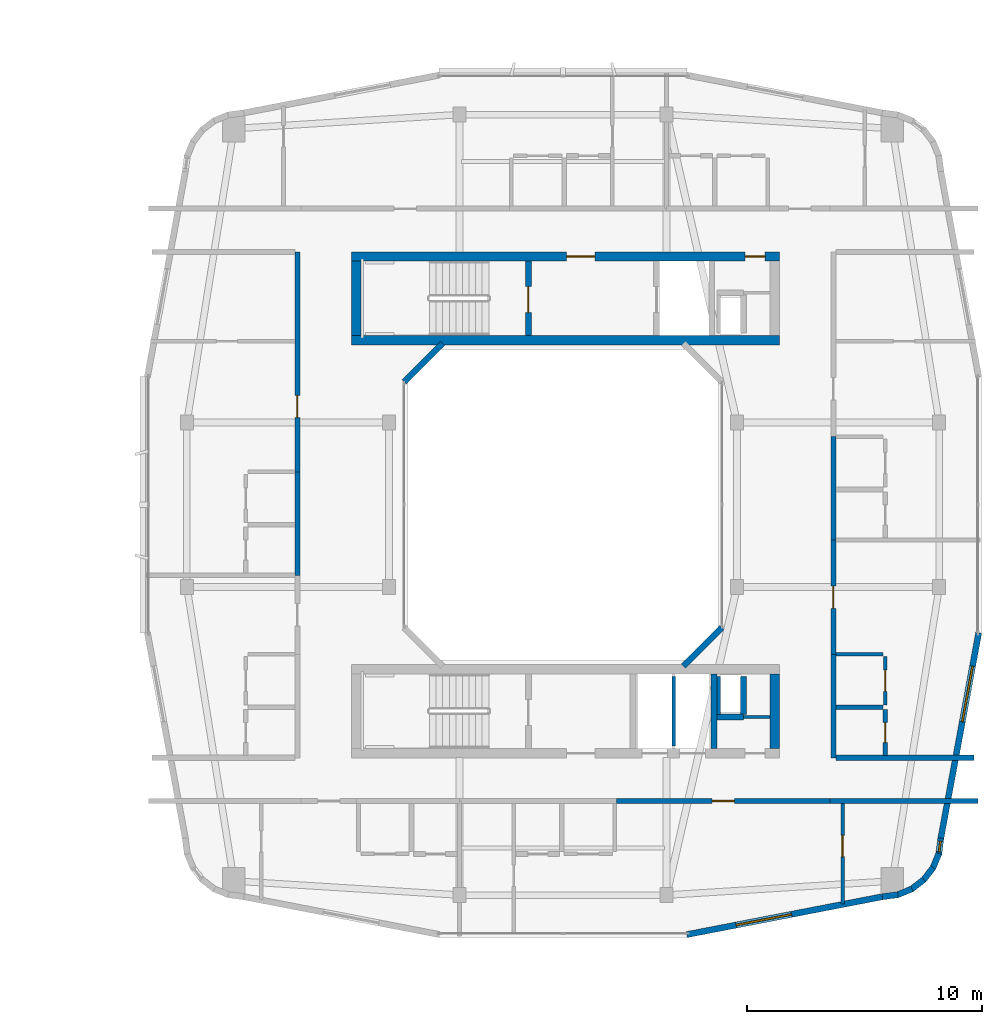
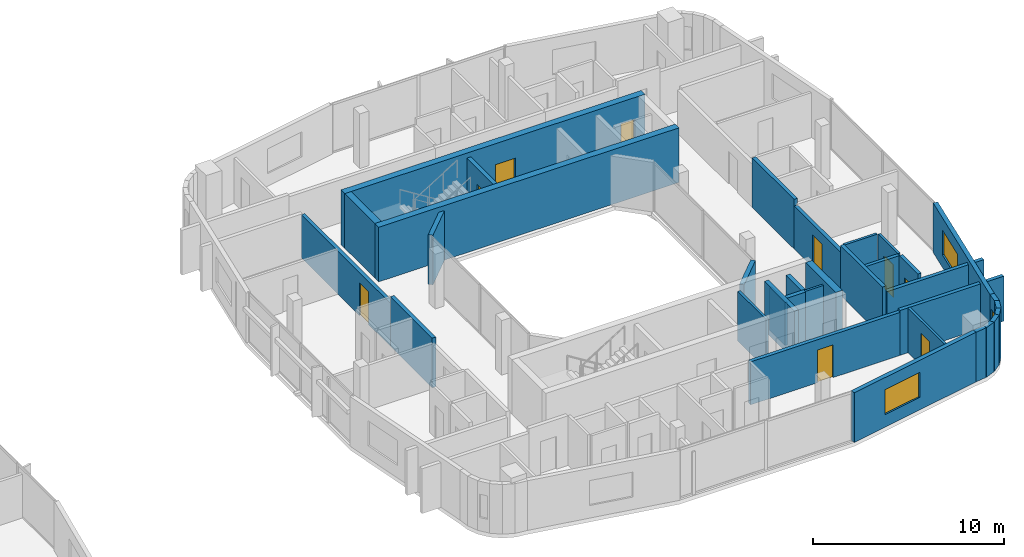
# One storey, part 18 of 26: 34 walls, 9 doors, 3 windows, 12 openings.
"""IFC4 building model written with IfcOpenShell, lengths in metres."""

from ifc_helpers import new_model, si_unit, derived_unit, direction, frame, frame_2d, origin, place, context, subcontext, project, spatial, rectangle, extrude, material, layer, layer_set, type_object, element, fill, save


model = new_model("IFC4")

# Units and contexts
model_context = context("Model", 3, precision=1e-05, world=origin(), true_north=direction((0.0, 1.0)))
body_context = subcontext(model_context, "Body", "Model", "MODEL_VIEW")
ifc_project = project(units=[si_unit("LENGTHUNIT", "METRE"), si_unit("AREAUNIT", "SQUARE_METRE"), si_unit("VOLUMEUNIT", "CUBIC_METRE"), si_unit("PLANEANGLEUNIT", "RADIAN"), si_unit("MASSUNIT", "GRAM", prefix="KILO"), derived_unit("THERMALTRANSMITTANCEUNIT", [(si_unit("POWERUNIT", "WATT"), 1), (si_unit("LENGTHUNIT", "METRE"), -2), (si_unit("THERMODYNAMICTEMPERATUREUNIT", "KELVIN"), -1)])], contexts=[model_context])

# Site, building, storey
site_placement = place(None, origin())
site = spatial("IfcSite", under=ifc_project, at=site_placement, CompositionType="ELEMENT")
building_placement = place(site_placement, origin())
building = spatial("IfcBuilding", under=site, at=building_placement, Name="Kivonza Crest Hotel", CompositionType="ELEMENT")
storey_placement = place(building_placement, frame((0.0, 0.0, 116.0)))
storey = spatial("IfcBuildingStorey", under=building, at=storey_placement, Name="L31", CompositionType="ELEMENT", Elevation=116.0)

# Wall
ifc_material_1 = material(Name="Autoclaved aerated concrete blockwork", Category="masonry")
ifc_layer_1 = layer(ifc_material_1, 0.219970703125)
ifc_layer_set_1 = layer_set([ifc_layer_1], Name="Autoclaved aerated concrete blockwork")
wall_type_1 = type_object("IfcWallType", Name="WL-ACOU-220", PredefinedType="SOLIDWALL", material=ifc_layer_set_1)
wall_1_placement = place(storey_placement, frame((88.35009765625, 12.39990234375, 0.0), z_axis=(0.0, 0.0, 1.0), x_axis=(1.0, 0.0, 0.0)))
element("IfcWall", 1, at=wall_1_placement, inside=storey, type_object=wall_type_1, Name="L31 interior partition WA-L31-A04-RCORR", PredefinedType="SOLIDWALL", context=body_context, shape_type="SweptSolid", body=[
    extrude(rectangle(XDim=6.289794921875, YDim=0.219970703125, at=frame_2d((3.14501953125, 0.0))), origin(), (0.0, 0.0, 1.0), 2.875),
])

# Wall, opening, door
wall_2_placement = place(storey_placement, frame((79.280029296875, 12.39990234375, 0.0), z_axis=(0.0, 0.0, 1.0), x_axis=(1.0, 0.0, 0.0)))
wall_2 = element("IfcWall", 2, at=wall_2_placement, inside=storey, type_object=wall_type_1, Name="L31 interior partition WA-L31-A04-MCORR", PredefinedType="SOLIDWALL", context=body_context, shape_type="SweptSolid", body=[
    extrude(rectangle(XDim=9.070068359375, YDim=0.219970703125, at=frame_2d((4.53515625, 0.0))), origin(), (0.0, 0.0, 1.0), 2.7548828125),
])
opening_1_placement = place(wall_2_placement, frame((4.06005859375, 0.0, 0.0)))
opening_1 = element("IfcOpeningElement", 3, at=opening_1_placement, cuts=wall_2, Name="Opening DU-60", PredefinedType="OPENING", context=body_context, shape_type="SweptSolid", body=[
    extrude(rectangle(XDim=0.949951171875, YDim=2.10009765625, at=frame_2d((0.47509765625, 1.050048828125))), frame((0.0, 0.1201171875, 0.0), z_axis=(0.0, -1.0, 0.0), x_axis=(1.0, 0.0, 0.0)), (0.0, 0.0, 1.0), 0.239990234375),
])
ifc_material_2 = material(Name="Hardwood timber oak", Category="wood")
door_type_1 = type_object("IfcDoorType", Name="DR-UNIT-950", OperationType="NOTDEFINED", PredefinedType="DOOR", material=ifc_material_2)
door_1_placement = place(opening_1_placement, frame((0.949951171875, 0.0, 0.0), z_axis=(0.0, 0.0, 1.0), x_axis=(-1.0, 0.0, 0.0)))
door_1 = element("IfcDoor", 4, at=door_1_placement, inside=storey, type_object=door_type_1, Name="L31 A04 apartment entrance fire door", OperationType="SINGLE_SWING_RIGHT", OverallHeight=2.10009765625, OverallWidth=0.949951171875, PredefinedType="DOOR", context=body_context, shape_type="SweptSolid", body=[
    extrude(rectangle(XDim=0.949951171875, YDim=2.10009765625, at=frame_2d((0.47509765625, 1.050048828125))), frame((0.0, 0.02490234375, 0.0), z_axis=(0.0, -1.0, 0.0), x_axis=(1.0, 0.0, 0.0)), (0.0, 0.0, 1.0), 0.050048828125),
])
fill(opening_1, door_1)

# Wall
wall_3_placement = place(storey_placement, frame((65.699951171875, 22.0, 0.0), z_axis=(0.0, 0.0, 1.0), x_axis=(0.0, 1.0, 0.0)))
element("IfcWall", 5, at=wall_3_placement, inside=storey, type_object=wall_type_1, Name="L31 interior partition WA-L31-A06-BCORR", PredefinedType="SOLIDWALL", context=body_context, shape_type="SweptSolid", body=[
    extrude(rectangle(XDim=4.39990234375, YDim=0.219970703125, at=frame_2d((2.199951171875, 0.0))), origin(), (0.0, 0.0, 1.0), 3.179931640625),
])

# Wall, opening, door
wall_4_placement = place(storey_placement, frame((65.699951171875, 26.39990234375, 0.0), z_axis=(0.0, 0.0, 1.0), x_axis=(0.0, 1.0, 0.0)))
wall_4 = element("IfcWall", 6, at=wall_4_placement, inside=storey, type_object=wall_type_1, Name="L31 interior partition WA-L31-A06-MCORR", PredefinedType="SOLIDWALL", context=body_context, shape_type="SweptSolid", body=[
    extrude(rectangle(XDim=9.360107421875, YDim=0.219970703125, at=frame_2d((4.68017578125, 0.0))), origin(), (0.0, 0.0, 1.0), 2.7548828125),
])
opening_2_placement = place(wall_4_placement, frame((2.304931640625, 0.0, 0.0)))
opening_2 = element("IfcOpeningElement", 7, at=opening_2_placement, cuts=wall_4, Name="Opening DU-60", PredefinedType="OPENING", context=body_context, shape_type="SweptSolid", body=[
    extrude(rectangle(XDim=0.949951171875, YDim=2.10009765625, at=frame_2d((0.47509765625, 1.050048828125))), frame((0.0, 0.1201171875, 0.0), z_axis=(0.0, -1.0, 0.0), x_axis=(1.0, 0.0, 0.0)), (0.0, 0.0, 1.0), 0.239990234375),
])
door_2_placement = place(opening_2_placement, origin())
door_2 = element("IfcDoor", 8, at=door_2_placement, inside=storey, type_object=door_type_1, Name="L31 A06 apartment entrance fire door", OperationType="SINGLE_SWING_RIGHT", OverallHeight=2.10009765625, OverallWidth=0.949951171875, PredefinedType="DOOR", context=body_context, shape_type="SweptSolid", body=[
    extrude(rectangle(XDim=0.949951171875, YDim=2.10009765625, at=frame_2d((0.47509765625, 1.050048828125))), frame((0.0, 0.02490234375, 0.0), z_axis=(0.0, -1.0, 0.0), x_axis=(1.0, 0.0, 0.0)), (0.0, 0.0, 1.0), 0.050048828125),
])
fill(opening_2, door_2)

# Walls
wall_5_placement = place(storey_placement, frame((88.60009765625, 14.239990234375, 0.0), z_axis=(0.0, 0.0, 1.0), x_axis=(1.0, 0.0, 0.0)))
element("IfcWall", 9, at=wall_5_placement, inside=storey, type_object=wall_type_1, Name="L31 interior partition WA-L31-T2E-ENDS", PredefinedType="SOLIDWALL", context=body_context, shape_type="SweptSolid", body=[
    extrude(rectangle(XDim=5.8798828125, YDim=0.219970703125, at=frame_2d((2.93994140625, 0.0))), origin(), (0.0, 0.0, 1.0), 2.875),
])
wall_6_placement = place(storey_placement, frame((88.5, 14.239990234375, 0.0), z_axis=(0.0, 0.0, 1.0), x_axis=(0.0, 1.0, 0.0)))
element("IfcWall", 10, at=wall_6_placement, inside=storey, type_object=wall_type_1, Name="L31 interior partition WA-L31-A07-BCORR", PredefinedType="SOLIDWALL", context=body_context, shape_type="SweptSolid", body=[
    extrude(rectangle(XDim=4.39990234375, YDim=0.219970703125, at=frame_2d((2.199951171875, 0.0))), origin(), (0.0, 0.0, 1.0), 3.179931640625),
])

# Wall, opening, door
wall_7_placement = place(storey_placement, frame((88.5, 18.639892578125, 0.0), z_axis=(0.0, 0.0, 1.0), x_axis=(0.0, 1.0, 0.0)))
wall_7 = element("IfcWall", 11, at=wall_7_placement, inside=storey, type_object=wall_type_1, Name="L31 interior partition WA-L31-A07-MCORR", PredefinedType="SOLIDWALL", context=body_context, shape_type="SweptSolid", body=[
    extrude(rectangle(XDim=4.860107421875, YDim=0.219970703125, at=frame_2d((2.43017578125, 0.0))), origin(), (0.0, 0.0, 1.0), 2.7548828125),
])
opening_3_placement = place(wall_7_placement, frame((1.955078125, 0.0, 0.0)))
opening_3 = element("IfcOpeningElement", 12, at=opening_3_placement, cuts=wall_7, Name="Opening DU-60", PredefinedType="OPENING", context=body_context, shape_type="SweptSolid", body=[
    extrude(rectangle(XDim=0.949951171875, YDim=2.10009765625, at=frame_2d((0.47509765625, 1.050048828125))), frame((0.0, 0.1201171875, 0.0), z_axis=(0.0, -1.0, 0.0), x_axis=(1.0, 0.0, 0.0)), (0.0, 0.0, 1.0), 0.239990234375),
])
door_3_placement = place(opening_3_placement, frame((0.949951171875, 0.0, 0.0), z_axis=(0.0, 0.0, 1.0), x_axis=(-1.0, 0.0, 0.0)))
door_3 = element("IfcDoor", 13, at=door_3_placement, inside=storey, type_object=door_type_1, Name="L31 A07 apartment entrance fire door", OperationType="SINGLE_SWING_LEFT", OverallHeight=2.10009765625, OverallWidth=0.949951171875, PredefinedType="DOOR", context=body_context, shape_type="SweptSolid", body=[
    extrude(rectangle(XDim=0.949951171875, YDim=2.10009765625, at=frame_2d((0.47509765625, 1.050048828125))), frame((0.0, 0.02490234375, 0.0), z_axis=(0.0, -1.0, 0.0), x_axis=(1.0, 0.0, 0.0)), (0.0, 0.0, 1.0), 0.050048828125),
])
fill(opening_3, door_3)

# Walls
wall_8_placement = place(storey_placement, frame((88.5, 23.5, 0.0), z_axis=(0.0, 0.0, 1.0), x_axis=(0.0, 1.0, 0.0)))
element("IfcWall", 14, at=wall_8_placement, inside=storey, type_object=wall_type_1, Name="L31 interior partition WA-L31-A08-BCORR", PredefinedType="SOLIDWALL", context=body_context, shape_type="SweptSolid", body=[
    extrude(rectangle(XDim=4.39990234375, YDim=0.219970703125, at=frame_2d((2.199951171875, 0.0))), origin(), (0.0, 0.0, 1.0), 3.179931640625),
])
ifc_material_3 = material(Name="Concrete C50/60", Category="concrete")
ifc_layer_2 = layer(ifc_material_3, 0.39990234375)
ifc_layer_set_2 = layer_set([ifc_layer_2], Name="Concrete C50/60")
wall_type_2 = type_object("IfcWallType", Name="WL-CORE-400", PredefinedType="SHEAR", material=ifc_layer_set_2)
wall_9_placement = place(storey_placement, frame((68.0, 32.0, 0.0), z_axis=(0.0, 0.0, 1.0), x_axis=(1.0, 0.0, 0.0)))
element("IfcWall", 15, at=wall_9_placement, inside=storey, type_object=wall_type_2, Name="Core wall T2-N South L31", PredefinedType="SHEAR", context=body_context, shape_type="SweptSolid", body=[
    extrude(rectangle(XDim=18.199951171875, YDim=0.39990234375, at=frame_2d((9.10009765625, 0.0))), origin(), (0.0, 0.0, 1.0), 3.5),
])

# Wall, openings, doors
wall_10_placement = place(storey_placement, frame((68.0, 35.56005859375, 0.0), z_axis=(0.0, 0.0, 1.0), x_axis=(1.0, 0.0, 0.0)))
wall_10 = element("IfcWall", 16, at=wall_10_placement, inside=storey, type_object=wall_type_2, Name="Core wall T2-N North L31", PredefinedType="SHEAR", context=body_context, shape_type="SweptSolid", body=[
    extrude(rectangle(XDim=18.199951171875, YDim=0.39990234375, at=frame_2d((9.10009765625, 0.0))), origin(), (0.0, 0.0, 1.0), 3.5),
])
opening_4_placement = place(wall_10_placement, frame((9.14990234375, 0.0, 0.0)))
opening_4 = element("IfcOpeningElement", 17, at=opening_4_placement, cuts=wall_10, Name="Opening DF-60", PredefinedType="OPENING", context=body_context, shape_type="SweptSolid", body=[
    extrude(rectangle(XDim=1.199951171875, YDim=2.14990234375, at=frame_2d((0.60009765625, 1.074951171875))), frame((0.0, 0.2099609375, 0.0), z_axis=(0.0, -1.0, 0.0), x_axis=(1.0, 0.0, 0.0)), (0.0, 0.0, 1.0), 0.419921875),
])
opening_5_placement = place(wall_10_placement, frame((16.75, 0.0, 0.0)))
opening_5 = element("IfcOpeningElement", 18, at=opening_5_placement, cuts=wall_10, Name="Opening DF-60R", PredefinedType="OPENING", context=body_context, shape_type="SweptSolid", body=[
    extrude(rectangle(XDim=0.85009765625, YDim=2.10009765625, at=frame_2d((0.425048828125, 1.050048828125))), frame((0.0, 0.2099609375, 0.0), z_axis=(0.0, -1.0, 0.0), x_axis=(1.0, 0.0, 0.0)), (0.0, 0.0, 1.0), 0.419921875),
])
door_type_2 = type_object("IfcDoorType", Name="DR-FD60-1200", OperationType="NOTDEFINED", PredefinedType="DOOR", material=ifc_material_2)
door_4_placement = place(opening_4_placement, origin())
door_4 = element("IfcDoor", 19, at=door_4_placement, inside=storey, type_object=door_type_2, Name="L31 T2-N firefighting lobby fire door", OperationType="SINGLE_SWING_RIGHT", OverallHeight=2.14990234375, OverallWidth=1.199951171875, PredefinedType="DOOR", context=body_context, shape_type="SweptSolid", body=[
    extrude(rectangle(XDim=1.199951171875, YDim=2.14990234375, at=frame_2d((0.60009765625, 1.074951171875))), frame((0.0, 0.02490234375, 0.0), z_axis=(0.0, -1.0, 0.0), x_axis=(1.0, 0.0, 0.0)), (0.0, 0.0, 1.0), 0.050048828125),
])
fill(opening_4, door_4)
door_type_3 = type_object("IfcDoorType", Name="DR-FD60-850", OperationType="NOTDEFINED", PredefinedType="DOOR", material=ifc_material_2)
door_5_placement = place(opening_5_placement, origin())
door_5 = element("IfcDoor", 20, at=door_5_placement, inside=storey, type_object=door_type_3, Name="L31 T2-N core room door", OperationType="SINGLE_SWING_RIGHT", OverallHeight=2.10009765625, OverallWidth=0.85009765625, PredefinedType="DOOR", context=body_context, shape_type="SweptSolid", body=[
    extrude(rectangle(XDim=0.85009765625, YDim=2.10009765625, at=frame_2d((0.425048828125, 1.050048828125))), frame((0.0, 0.02490234375, 0.0), z_axis=(0.0, -1.0, 0.0), x_axis=(1.0, 0.0, 0.0)), (0.0, 0.0, 1.0), 0.050048828125),
])
fill(opening_5, door_5)

# Walls
for number, where, z_axis, x_axis, name in (
    (21, (68.199951171875, 32.199951171875, 0.0), (0.0, 0.0, 1.0), (0.0, 1.0, 0.0), "Core wall T2-N West L31"),
    (22, (86.0, 14.639892578125, 0.0), (0.0, 0.0, 1.0), (0.0, 1.0, 0.0), "Core wall T2-S East L31"),
):
    element("IfcWall", number, at=place(storey_placement, frame(where, z_axis=z_axis, x_axis=x_axis)), inside=storey, type_object=wall_type_2, Name=name, PredefinedType="SHEAR", context=body_context, shape_type="SweptSolid", body=[
        extrude(rectangle(XDim=3.16015625, YDim=0.39990234375, at=frame_2d((1.580078125, 0.0))), origin(), (0.0, 0.0, 1.0), 3.5),
    ])

# Wall, opening, window
ifc_material_4 = material(Name="Precast concrete C40/50", Category="concrete")
ifc_layer_3 = layer(ifc_material_4, 0.260009765625)
ifc_layer_set_3 = layer_set([ifc_layer_3], Name="Precast concrete C40/50")
wall_type_3 = type_object("IfcWallType", Name="WL-EXT-260", PredefinedType="STANDARD", material=ifc_layer_set_3)
wall_11_placement = place(storey_placement, frame((82.260986328125, 6.718017578125, 0.0), z_axis=(0.0, 0.0, 1.0), x_axis=(0.981750199588, 0.190175039396, 0.0)))
wall_11 = element("IfcWall", 23, at=wall_11_placement, inside=storey, type_object=wall_type_3, Name="L31 T2 exterior insulated wall 9", PredefinedType="STANDARD", context=body_context, shape_type="SweptSolid", body=[
    extrude(rectangle(XDim=8.476806640625, YDim=0.260009765625, at=frame_2d((4.23828125, 0.0))), origin(), (0.0, 0.0, 1.0), 3.179931640625),
])
opening_6_placement = place(wall_11_placement, frame((2.138916015625, 0.0, 0.800048828125)))
opening_6 = element("IfcOpeningElement", 24, at=opening_6_placement, cuts=wall_11, Name="Opening WN-05", PredefinedType="OPENING", context=body_context, shape_type="SweptSolid", body=[
    extrude(rectangle(XDim=2.39990234375, YDim=1.60009765625, at=frame_2d((1.199951171875, 0.800048828125))), frame((0.0, 0.14013671875, 0.0), z_axis=(0.0, -1.0, 0.0), x_axis=(1.0, 0.0, 0.0)), (0.0, 0.0, 1.0), 0.280029296875),
])
ifc_material_5 = material(Name="Thermally broken bronze aluminium and low-E double glazing", Category="aluminium")
window_type_1 = type_object("IfcWindowType", Name="WN-240x160", PartitioningType="TRIPLE_PANEL_VERTICAL", PredefinedType="WINDOW", material=ifc_material_5)
window_1_placement = place(opening_6_placement, origin())
window_1 = element("IfcWindow", 25, at=window_1_placement, inside=storey, type_object=window_type_1, Name="L31 T2 facade window 9", OverallHeight=1.60009765625, OverallWidth=2.39990234375, PartitioningType="SINGLE_PANEL", PredefinedType="WINDOW", context=body_context, shape_type="SweptSolid", body=[
    extrude(rectangle(XDim=2.39990234375, YDim=1.60009765625, at=frame_2d((1.199951171875, 0.800048828125))), frame((0.0, 0.030029296875, 0.0), z_axis=(0.0, -1.0, 0.0), x_axis=(1.0, 0.0, 0.0)), (0.0, 0.0, 1.0), 0.06005859375),
])
fill(opening_6, window_1)

# Walls
wall_12_placement = place(storey_placement, frame((90.574951171875, 8.327880859375, 0.0), z_axis=(0.0, 0.0, 1.0), x_axis=(0.991300187529, 0.13162043232, 0.0)))
element("IfcWall", 26, at=wall_12_placement, inside=storey, type_object=wall_type_3, Name="L31 T2 exterior insulated wall 10", PredefinedType="STANDARD", context=body_context, shape_type="SweptSolid", body=[
    extrude(rectangle(XDim=0.677001953125, YDim=0.260009765625, at=frame_2d((0.33837890625, 0.0))), origin(), (0.0, 0.0, 1.0), 3.179931640625),
])
for number, where, z_axis, x_axis, name in (
    (27, (91.199951171875, 8.39892578125, 0.0), (0.0, 0.0, 1.0), (0.924093981904, 0.382165294877, 0.0), "L31 T2 exterior insulated wall 11"),
    (28, (91.801025390625, 8.635986328125, 0.0), (0.0, 0.0, 1.0), (0.792637067512, 0.609693758543, 0.0), "L31 T2 exterior insulated wall 12"),
    (29, (92.320068359375, 9.02099609375, 0.0), (0.0, 0.0, 1.0), (0.609472651958, 0.792807092876, 0.0), "L31 T2 exterior insulated wall 13"),
):
    element("IfcWall", number, at=place(storey_placement, frame(where, z_axis=z_axis, x_axis=x_axis)), inside=storey, type_object=wall_type_3, Name=name, PredefinedType="STANDARD", context=body_context, shape_type="SweptSolid", body=[
        extrude(rectangle(XDim=0.69384765625, YDim=0.260009765625, at=frame_2d((0.346923828125, 0.0))), origin(), (0.0, 0.0, 1.0), 3.179931640625),
    ])
wall_13_placement = place(storey_placement, frame((92.721923828125, 9.527099609375, 0.0), z_axis=(0.0, 0.0, 1.0), x_axis=(0.382289608286, 0.924042561464, 0.0)))
element("IfcWall", 30, at=wall_13_placement, inside=storey, type_object=wall_type_3, Name="L31 T2 exterior insulated wall 14", PredefinedType="STANDARD", context=body_context, shape_type="SweptSolid", body=[
    extrude(rectangle(XDim=0.693603515625, YDim=0.260009765625, at=frame_2d((0.3466796875, 0.0))), origin(), (0.0, 0.0, 1.0), 3.179931640625),
])

# Wall, opening, window
wall_14_placement = place(storey_placement, frame((92.97900390625, 10.118896484375, 0.0), z_axis=(0.0, 0.0, 1.0), x_axis=(0.130614135366, 0.991433279471, 0.0)))
wall_14 = element("IfcWall", 31, at=wall_14_placement, inside=storey, type_object=wall_type_3, Name="L31 T2 exterior insulated wall 15", PredefinedType="STANDARD", context=body_context, shape_type="SweptSolid", body=[
    extrude(rectangle(XDim=0.712158203125, YDim=0.260009765625, at=frame_2d((0.35595703125, 0.0))), origin(), (0.0, 0.0, 1.0), 3.179931640625),
])
opening_7_placement = place(wall_14_placement, frame((0.131103515625, 0.0, 0.85009765625)))
opening_7 = element("IfcOpeningElement", 32, at=opening_7_placement, cuts=wall_14, Name="Opening WN-11", PredefinedType="OPENING", context=body_context, shape_type="SweptSolid", body=[
    extrude(rectangle(XDim=0.449951171875, YDim=1.5, at=frame_2d((0.22509765625, 0.75))), frame((0.0, 0.14013671875, 0.0), z_axis=(0.0, -1.0, 0.0), x_axis=(1.0, 0.0, 0.0)), (0.0, 0.0, 1.0), 0.280029296875),
])
window_type_2 = type_object("IfcWindowType", Name="WN-045x150", PartitioningType="SINGLE_PANEL", PredefinedType="WINDOW", material=ifc_material_5)
window_2_placement = place(opening_7_placement, origin())
window_2 = element("IfcWindow", 33, at=window_2_placement, inside=storey, type_object=window_type_2, Name="L31 corner vision window 5", OverallHeight=1.5, OverallWidth=0.449951171875, PartitioningType="SINGLE_PANEL", PredefinedType="WINDOW", context=body_context, shape_type="SweptSolid", body=[
    extrude(rectangle(XDim=0.449951171875, YDim=1.5, at=frame_2d((0.22509765625, 0.75))), frame((0.0, 0.030029296875, 0.0), z_axis=(0.0, -1.0, 0.0), x_axis=(1.0, 0.0, 0.0)), (0.0, 0.0, 1.0), 0.06005859375),
])
fill(opening_7, window_2)

wall_15_placement = place(storey_placement, frame((93.071044921875, 10.81591796875, 0.0), z_axis=(0.0, 0.0, 1.0), x_axis=(0.181209963057, 0.983444431215, 0.0)))
wall_15 = element("IfcWall", 34, at=wall_15_placement, inside=storey, type_object=wall_type_3, Name="L31 T2 exterior insulated wall 16", PredefinedType="STANDARD", context=body_context, shape_type="SweptSolid", body=[
    extrude(rectangle(XDim=8.889404296875, YDim=0.260009765625, at=frame_2d((4.44482421875, 0.0))), origin(), (0.0, 0.0, 1.0), 3.179931640625),
])
opening_8_placement = place(wall_15_placement, frame((5.044921875, 0.0, 0.800048828125)))
opening_8 = element("IfcOpeningElement", 35, at=opening_8_placement, cuts=wall_15, Name="Opening WN-05", PredefinedType="OPENING", context=body_context, shape_type="SweptSolid", body=[
    extrude(rectangle(XDim=2.39990234375, YDim=1.60009765625, at=frame_2d((1.199951171875, 0.800048828125))), frame((0.0, 0.14013671875, 0.0), z_axis=(0.0, -1.0, 0.0), x_axis=(1.0, 0.0, 0.0)), (0.0, 0.0, 1.0), 0.280029296875),
])
window_3_placement = place(opening_8_placement, origin())
window_3 = element("IfcWindow", 36, at=window_3_placement, inside=storey, type_object=window_type_1, Name="L31 T2 facade window 16", OverallHeight=1.60009765625, OverallWidth=2.39990234375, PartitioningType="SINGLE_PANEL", PredefinedType="WINDOW", context=body_context, shape_type="SweptSolid", body=[
    extrude(rectangle(XDim=2.39990234375, YDim=1.60009765625, at=frame_2d((1.199951171875, 0.800048828125))), frame((0.0, 0.030029296875, 0.0), z_axis=(0.0, -1.0, 0.0), x_axis=(1.0, 0.0, 0.0)), (0.0, 0.0, 1.0), 0.06005859375),
])
fill(opening_8, window_3)

# Walls
for number, where, z_axis, x_axis, name in (
    (37, (82.1220703125, 18.137939453125, 0.0), (0.0, 0.0, 1.0), (0.707106781187, 0.707106781187, 0.0), "L31 T2 light-well exterior wall 2"),
    (38, (71.8779296875, 31.862060546875, 0.0), (0.0, 0.0, 1.0), (-0.707106781187, -0.707106781187, 0.0), "L31 T2 light-well exterior wall 6"),
):
    element("IfcWall", number, at=place(storey_placement, frame(where, z_axis=z_axis, x_axis=x_axis)), inside=storey, type_object=wall_type_3, Name=name, PredefinedType="STANDARD", context=body_context, shape_type="SweptSolid", body=[
        extrude(rectangle(XDim=2.310791015625, YDim=0.260009765625, at=frame_2d((1.1552734375, 0.0))), origin(), (0.0, 0.0, 1.0), 3.179931640625),
    ])
ifc_material_6 = material(Name="Concrete blockwork fire-compartment wall", Category="masonry")
ifc_layer_4 = layer(ifc_material_6, 0.25)
ifc_layer_set_4 = layer_set([ifc_layer_4], Name="Concrete blockwork fire-compartment wall")
wall_type_4 = type_object("IfcWallType", Name="WL-FIRE-250", PredefinedType="SOLIDWALL", material=ifc_layer_set_4)
wall_16_placement = place(storey_placement, frame((84.679931640625, 16.080078125, 0.0), z_axis=(0.0, 0.0, 1.0), x_axis=(0.0, 1.0, 0.0)))
element("IfcWall", 39, at=wall_16_placement, inside=storey, type_object=wall_type_4, Name="L31 interior partition WA-L31-T2-S-MEPR-E", PredefinedType="SOLIDWALL", context=body_context, shape_type="SweptSolid", body=[
    extrude(rectangle(XDim=1.619873046875, YDim=0.25, at=frame_2d((0.81005859375, 0.0))), origin(), (0.0, 0.0, 1.0), 3.179931640625),
])
wall_17_placement = place(storey_placement, frame((83.550048828125, 15.97998046875, 0.0), z_axis=(0.0, 0.0, 1.0), x_axis=(1.0, 0.0, 0.0)))
element("IfcWall", 40, at=wall_17_placement, inside=storey, type_object=wall_type_4, Name="L31 interior partition WA-L31-T2-S-MEPR-H", PredefinedType="SOLIDWALL", context=body_context, shape_type="SweptSolid", body=[
    extrude(rectangle(XDim=1.1298828125, YDim=0.25, at=frame_2d((0.56494140625, 0.0))), origin(), (0.0, 0.0, 1.0), 3.179931640625),
])
ifc_material_7 = material(Name="Metal-stud gypsum board partition", Category="gypsum")
ifc_layer_5 = layer(ifc_material_7, 0.125)
ifc_layer_set_5 = layer_set([ifc_layer_5], Name="Metal-stud gypsum board partition")
wall_type_5 = type_object("IfcWallType", Name="WL-PART-125", PredefinedType="PARTITIONING", material=ifc_layer_set_5)
wall_18_placement = place(storey_placement, frame((84.679931640625, 15.97998046875, 0.0), z_axis=(0.0, 0.0, 1.0), x_axis=(1.0, 0.0, 0.0)))
element("IfcWall", 41, at=wall_18_placement, inside=storey, type_object=wall_type_5, Name="L31 interior partition WP-L31-T2-S-T2H", PredefinedType="PARTITIONING", context=body_context, shape_type="SweptSolid", body=[
    extrude(rectangle(XDim=1.1201171875, YDim=0.125, at=frame_2d((0.56005859375, 0.0))), origin(), (0.0, 0.0, 1.0), 3.179931640625),
])
ifc_material_8 = material(Name="Twin-stud acoustic gypsum board partition", Category="gypsum")
ifc_layer_6 = layer(ifc_material_8, 0.14990234375)
ifc_layer_set_6 = layer_set([ifc_layer_6], Name="Twin-stud acoustic gypsum board partition")
wall_type_6 = type_object("IfcWallType", Name="WL-PART-150", PredefinedType="PARTITIONING", material=ifc_layer_set_6)
wall_19_placement = place(storey_placement, frame((83.6298828125, 16.080078125, 0.0), z_axis=(0.0, 0.0, 1.0), x_axis=(0.0, 1.0, 0.0)))
element("IfcWall", 42, at=wall_19_placement, inside=storey, type_object=wall_type_6, Name="L31 interior partition WA-L31-T2-S-MEPR-W", PredefinedType="PARTITIONING", context=body_context, shape_type="SweptSolid", body=[
    extrude(rectangle(XDim=1.619873046875, YDim=0.14990234375, at=frame_2d((0.81005859375, 0.0))), origin(), (0.0, 0.0, 1.0), 2.7548828125),
])
wall_20_placement = place(storey_placement, frame((81.699951171875, 14.739990234375, 0.0), z_axis=(0.0, 0.0, 1.0), x_axis=(0.0, 1.0, 0.0)))
element("IfcWall", 43, at=wall_20_placement, inside=storey, type_object=wall_type_6, Name="L31 interior partition WP-L31-T2-S-BSH-1", PredefinedType="PARTITIONING", context=body_context, shape_type="SweptSolid", body=[
    extrude(rectangle(XDim=2.9599609375, YDim=0.14990234375, at=frame_2d((1.47998046875, 0.0))), origin(), (0.0, 0.0, 1.0), 3.179931640625),
])

# Wall, opening, door
wall_21_placement = place(storey_placement, frame((88.889892578125, 8.030029296875, 0.0), z_axis=(0.0, 0.0, 1.0), x_axis=(0.0, 1.0, 0.0)))
wall_21 = element("IfcWall", 44, at=wall_21_placement, inside=storey, type_object=wall_type_6, Name="L31 interior partition WP-L31-A04-BDW2", PredefinedType="PARTITIONING", context=body_context, shape_type="SweptSolid", body=[
    extrude(rectangle(XDim=4.27001953125, YDim=0.14990234375, at=frame_2d((2.135009765625, 0.0))), origin(), (0.0, 0.0, 1.0), 2.875),
])
opening_9_placement = place(wall_21_placement, frame((2.010009765625, 0.0, 0.0)))
opening_9 = element("IfcOpeningElement", 45, at=opening_9_placement, cuts=wall_21, Name="Opening DI-90", PredefinedType="OPENING", context=body_context, shape_type="SweptSolid", body=[
    extrude(rectangle(XDim=0.89990234375, YDim=2.10009765625, at=frame_2d((0.449951171875, 1.050048828125))), frame((0.0, 0.0849609375, 0.0), z_axis=(0.0, -1.0, 0.0), x_axis=(1.0, 0.0, 0.0)), (0.0, 0.0, 1.0), 0.169921875),
])
door_type_4 = type_object("IfcDoorType", Name="DR-INT-900", OperationType="NOTDEFINED", PredefinedType="DOOR", material=ifc_material_2)
door_6_placement = place(opening_9_placement, origin())
door_6 = element("IfcDoor", 46, at=door_6_placement, inside=storey, type_object=door_type_4, Name="L31 A04 bedroom 2 door", OperationType="SINGLE_SWING_RIGHT", OverallHeight=2.10009765625, OverallWidth=0.89990234375, PredefinedType="DOOR", context=body_context, shape_type="SweptSolid", body=[
    extrude(rectangle(XDim=0.89990234375, YDim=2.10009765625, at=frame_2d((0.449951171875, 1.050048828125))), frame((0.0, 0.02490234375, 0.0), z_axis=(0.0, -1.0, 0.0), x_axis=(1.0, 0.0, 0.0)), (0.0, 0.0, 1.0), 0.050048828125),
])
fill(opening_9, door_6)

# Wall
wall_22_placement = place(storey_placement, frame((88.60009765625, 18.639892578125, 0.0), z_axis=(0.0, 0.0, 1.0), x_axis=(1.0, 0.0, 0.0)))
element("IfcWall", 47, at=wall_22_placement, inside=storey, type_object=wall_type_6, Name="L31 interior partition WP-L31-A07-KF", PredefinedType="PARTITIONING", context=body_context, shape_type="SweptSolid", body=[
    extrude(rectangle(XDim=2.0, YDim=0.14990234375, at=frame_2d((1.0, 0.0))), origin(), (0.0, 0.0, 1.0), 3.179931640625),
])

# Wall, opening, door
wall_23_placement = place(storey_placement, frame((90.699951171875, 16.489990234375, 0.0), z_axis=(0.0, 0.0, 1.0), x_axis=(0.0, 1.0, 0.0)))
wall_23 = element("IfcWall", 48, at=wall_23_placement, inside=storey, type_object=wall_type_6, Name="L31 interior partition WP-L31-A07-KSVC", PredefinedType="PARTITIONING", context=body_context, shape_type="SweptSolid", body=[
    extrude(rectangle(XDim=2.050048828125, YDim=0.14990234375, at=frame_2d((1.02490234375, 0.0))), origin(), (0.0, 0.0, 1.0), 3.179931640625),
])
opening_10_placement = place(wall_23_placement, frame((0.574951171875, 0.0, 0.0)))
opening_10 = element("IfcOpeningElement", 49, at=opening_10_placement, cuts=wall_23, Name="Opening DI-90", PredefinedType="OPENING", context=body_context, shape_type="SweptSolid", body=[
    extrude(rectangle(XDim=0.89990234375, YDim=2.10009765625, at=frame_2d((0.449951171875, 1.050048828125))), frame((0.0, 0.0849609375, 0.0), z_axis=(0.0, -1.0, 0.0), x_axis=(1.0, 0.0, 0.0)), (0.0, 0.0, 1.0), 0.169921875),
])
door_7_placement = place(opening_10_placement, frame((0.89990234375, 0.0, 0.0), z_axis=(0.0, 0.0, 1.0), x_axis=(-1.0, 0.0, 0.0)))
door_7 = element("IfcDoor", 50, at=door_7_placement, inside=storey, type_object=door_type_4, Name="L31 A07 apartment kitchen door", OperationType="SINGLE_SWING_LEFT", OverallHeight=2.10009765625, OverallWidth=0.89990234375, PredefinedType="DOOR", context=body_context, shape_type="SweptSolid", body=[
    extrude(rectangle(XDim=0.89990234375, YDim=2.10009765625, at=frame_2d((0.449951171875, 1.050048828125))), frame((0.0, 0.02490234375, 0.0), z_axis=(0.0, -1.0, 0.0), x_axis=(1.0, 0.0, 0.0)), (0.0, 0.0, 1.0), 0.050048828125),
])
fill(opening_10, door_7)

# Wall
ifc_material_9 = material(Name="Moisture-resistant plumbing chase partition wall", Category="gypsum")
ifc_layer_7 = layer(ifc_material_9, 0.199951171875)
ifc_layer_set_7 = layer_set([ifc_layer_7], Name="Moisture-resistant plumbing chase partition wall")
wall_type_7 = type_object("IfcWallType", Name="WL-PLUMB-200", PredefinedType="PLUMBINGWALL", material=ifc_layer_set_7)
wall_24_placement = place(storey_placement, frame((88.60009765625, 16.389892578125, 0.0), z_axis=(0.0, 0.0, 1.0), x_axis=(1.0, 0.0, 0.0)))
element("IfcWall", 51, at=wall_24_placement, inside=storey, type_object=wall_type_7, Name="L31 interior partition WW-L31-A07-BK", PredefinedType="PLUMBINGWALL", context=body_context, shape_type="SweptSolid", body=[
    extrude(rectangle(XDim=2.0, YDim=0.199951171875, at=frame_2d((1.0, 0.0))), origin(), (0.0, 0.0, 1.0), 3.179931640625),
])

# Wall, opening, door
wall_25_placement = place(storey_placement, frame((90.699951171875, 14.340087890625, 0.0), z_axis=(0.0, 0.0, 1.0), x_axis=(0.0, 1.0, 0.0)))
wall_25 = element("IfcWall", 52, at=wall_25_placement, inside=storey, type_object=wall_type_7, Name="L31 interior partition WW-L31-A07-BSVC", PredefinedType="PLUMBINGWALL", context=body_context, shape_type="SweptSolid", body=[
    extrude(rectangle(XDim=1.949951171875, YDim=0.199951171875, at=frame_2d((0.97509765625, 0.0))), origin(), (0.0, 0.0, 1.0), 3.179931640625),
])
opening_11_placement = place(wall_25_placement, frame((0.550048828125, 0.0, 0.0)))
opening_11 = element("IfcOpeningElement", 53, at=opening_11_placement, cuts=wall_25, Name="Opening DI-85", PredefinedType="OPENING", context=body_context, shape_type="SweptSolid", body=[
    extrude(rectangle(XDim=0.85009765625, YDim=2.10009765625, at=frame_2d((0.425048828125, 1.050048828125))), frame((0.0, 0.10986328125, 0.0), z_axis=(0.0, -1.0, 0.0), x_axis=(1.0, 0.0, 0.0)), (0.0, 0.0, 1.0), 0.219970703125),
])
door_type_5 = type_object("IfcDoorType", Name="DR-INT-850", OperationType="NOTDEFINED", PredefinedType="DOOR", material=ifc_material_2)
door_8_placement = place(opening_11_placement, frame((0.85009765625, 0.0, 0.0), z_axis=(0.0, 0.0, 1.0), x_axis=(-1.0, 0.0, 0.0)))
door_8 = element("IfcDoor", 54, at=door_8_placement, inside=storey, type_object=door_type_5, Name="L31 A07 apartment bathroom door", OperationType="SINGLE_SWING_RIGHT", OverallHeight=2.10009765625, OverallWidth=0.85009765625, PredefinedType="DOOR", context=body_context, shape_type="SweptSolid", body=[
    extrude(rectangle(XDim=0.85009765625, YDim=2.10009765625, at=frame_2d((0.425048828125, 1.050048828125))), frame((0.0, 0.02490234375, 0.0), z_axis=(0.0, -1.0, 0.0), x_axis=(1.0, 0.0, 0.0)), (0.0, 0.0, 1.0), 0.050048828125),
])
fill(opening_11, door_8)

ifc_layer_8 = layer(ifc_material_3, 0.25)
ifc_layer_set_8 = layer_set([ifc_layer_8], Name="Concrete C50/60")
wall_type_8 = type_object("IfcWallType", Name="WL-SHAFT-250", PredefinedType="STANDARD", material=ifc_layer_set_8)
wall_26_placement = place(storey_placement, frame((75.52490234375, 32.199951171875, 0.0), z_axis=(0.0, 0.0, 1.0), x_axis=(0.0, 1.0, 0.0)))
wall_26 = element("IfcWall", 55, at=wall_26_placement, inside=storey, type_object=wall_type_8, Name="Core shaft wall T2-N STAIR L31", PredefinedType="STANDARD", context=body_context, shape_type="SweptSolid", body=[
    extrude(rectangle(XDim=3.16015625, YDim=0.25, at=frame_2d((1.580078125, 0.0))), origin(), (0.0, 0.0, 1.0), 3.179931640625),
])
opening_12_placement = place(wall_26_placement, frame((0.97998046875, 0.0, 0.0)))
opening_12 = element("IfcOpeningElement", 56, at=opening_12_placement, cuts=wall_26, Name="Opening DF-120", PredefinedType="OPENING", context=body_context, shape_type="SweptSolid", body=[
    extrude(rectangle(XDim=1.10009765625, YDim=2.14990234375, at=frame_2d((0.550048828125, 1.074951171875))), frame((0.0, 0.135009765625, 0.0), z_axis=(0.0, -1.0, 0.0), x_axis=(1.0, 0.0, 0.0)), (0.0, 0.0, 1.0), 0.27001953125),
])
ifc_material_10 = material(Name="Galvanised steel", Category="steel")
door_type_6 = type_object("IfcDoorType", Name="DR-FD120-1100", OperationType="NOTDEFINED", PredefinedType="DOOR", material=ifc_material_10)
door_9_placement = place(opening_12_placement, frame((1.10009765625, 0.0, 0.0), z_axis=(0.0, 0.0, 1.0), x_axis=(-1.0, 0.0, 0.0)))
door_9 = element("IfcDoor", 57, at=door_9_placement, inside=storey, type_object=door_type_6, Name="L31 T2-N stair fire door", OperationType="SINGLE_SWING_LEFT", OverallHeight=2.14990234375, OverallWidth=1.10009765625, PredefinedType="DOOR", context=body_context, shape_type="SweptSolid", body=[
    extrude(rectangle(XDim=1.10009765625, YDim=2.14990234375, at=frame_2d((0.550048828125, 1.074951171875))), frame((0.0, 0.02490234375, 0.0), z_axis=(0.0, -1.0, 0.0), x_axis=(1.0, 0.0, 0.0)), (0.0, 0.0, 1.0), 0.050048828125),
])
fill(opening_12, door_9)

# Wall
wall_27_placement = place(storey_placement, frame((83.425048828125, 14.639892578125, 0.0), z_axis=(0.0, 0.0, 1.0), x_axis=(0.0, 1.0, 0.0)))
element("IfcWall", 58, at=wall_27_placement, inside=storey, type_object=wall_type_8, Name="Core shaft wall T2-S BANK-E L31", PredefinedType="STANDARD", context=body_context, shape_type="SweptSolid", body=[
    extrude(rectangle(XDim=3.16015625, YDim=0.25, at=frame_2d((1.580078125, 0.0))), origin(), (0.0, 0.0, 1.0), 3.179931640625),
])

save(model, "model.ifc")
